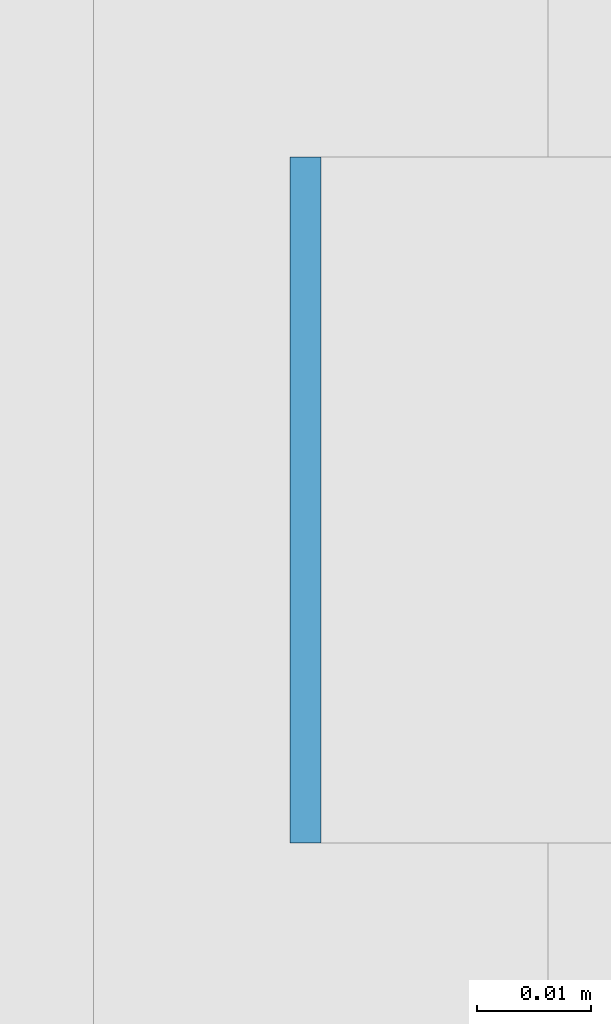
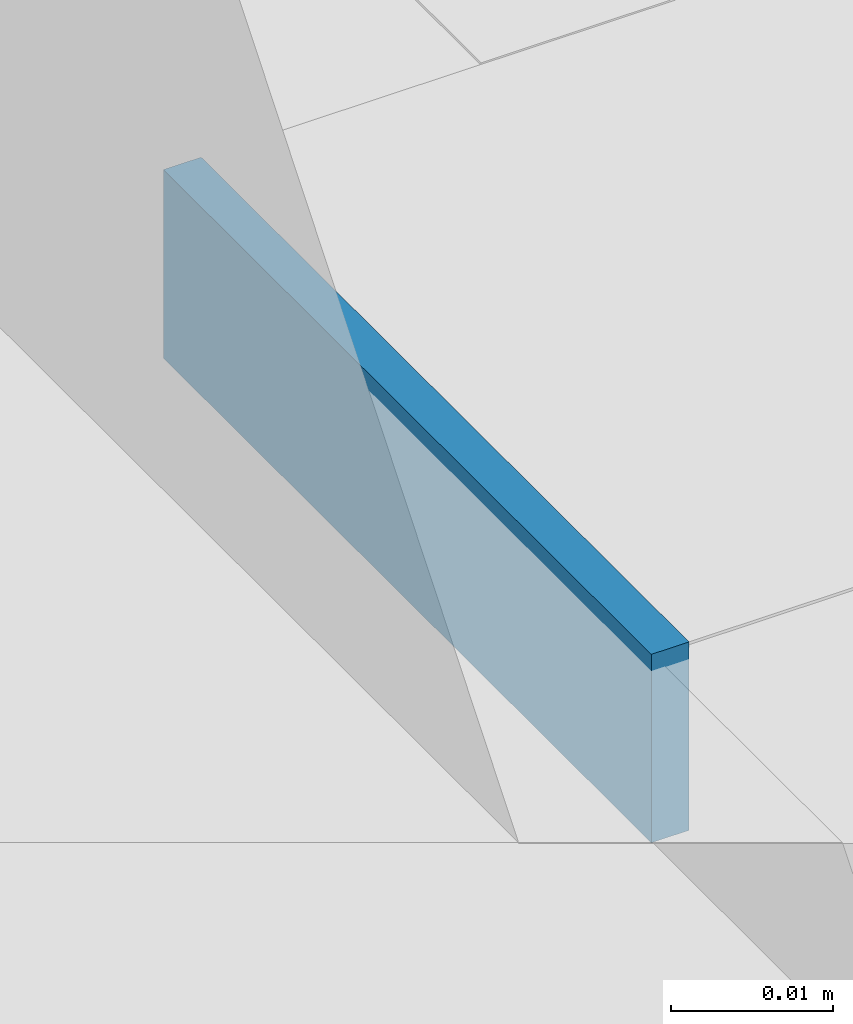
# One storey, part 499 of 646: 1 discrete accessory.
"""IFC4 building model written with IfcOpenShell, lengths in metres."""

from ifc_helpers import new_model, si_unit, direction, frame, origin, origin_2d, place, context, subcontext, project, spatial, rectangle, extrude, material, type_object, element, save


model = new_model("IFC4")

# Units and contexts
model_context = context("Model", 3, precision=1e-05, world=origin(), true_north=direction((0.0, 1.0)))
body_context = subcontext(model_context, "Body", "Model", "MODEL_VIEW")
ifc_project = project(units=[si_unit("LENGTHUNIT", "METRE"), si_unit("AREAUNIT", "SQUARE_METRE"), si_unit("VOLUMEUNIT", "CUBIC_METRE"), si_unit("PLANEANGLEUNIT", "RADIAN"), si_unit("MASSUNIT", "GRAM", prefix="KILO")], contexts=[model_context])

# Site, building, storey
site_placement = place(None, origin())
site = spatial("IfcSite", under=ifc_project, at=site_placement, CompositionType="ELEMENT")
building_placement = place(site_placement, origin())
building = spatial("IfcBuilding", under=site, at=building_placement, Name="Silverbay Arena", CompositionType="ELEMENT")
storey_placement = place(building_placement, frame((0.0, 0.0, 33.5)))
storey = spatial("IfcBuildingStorey", under=building, at=storey_placement, Name="L05", CompositionType="ELEMENT", Elevation=33.5)

# Discrete accessory
ifc_material = material(Name="Steel S355", Category="steel")
discrete_accessory_type = type_object("IfcDiscreteAccessoryType", Name="Steel bracket plate", PredefinedType="BRACKET", material=ifc_material)
discrete_accessory_placement = place(storey_placement, frame((207.128662109375, 66.857177734375, 12.98583984375), z_axis=(0.0, 0.0, 1.0), x_axis=(1.0, 0.0, 0.0)))
element("IfcDiscreteAccessory", 1, at=discrete_accessory_placement, inside=storey, type_object=discrete_accessory_type, Name="Curtain wall packing plate", PredefinedType="BRACKET", context=body_context, shape_type="SweptSolid", body=[
    extrude(rectangle(XDim=0.002685546875, YDim=0.06005859375, at=origin_2d()), origin(), (0.0, 0.0, 1.0), 0.01416015625),
])

save(model, "model.ifc")
